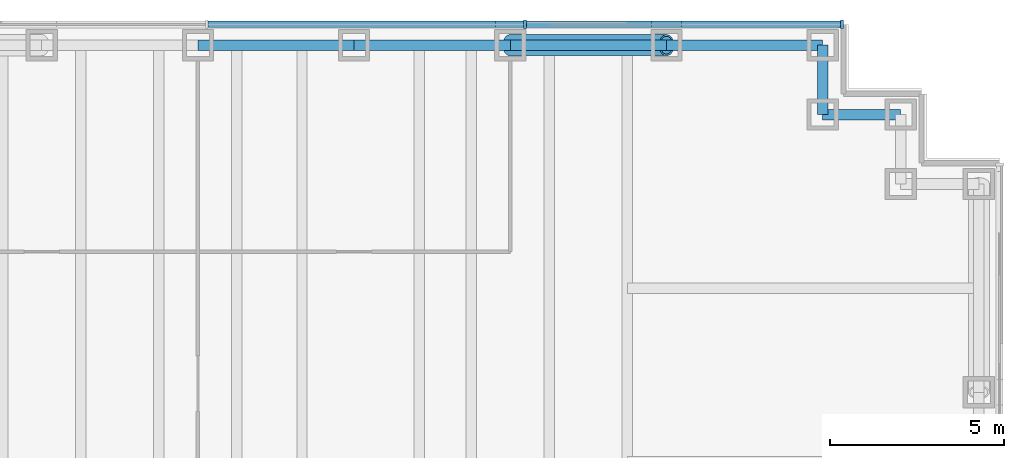
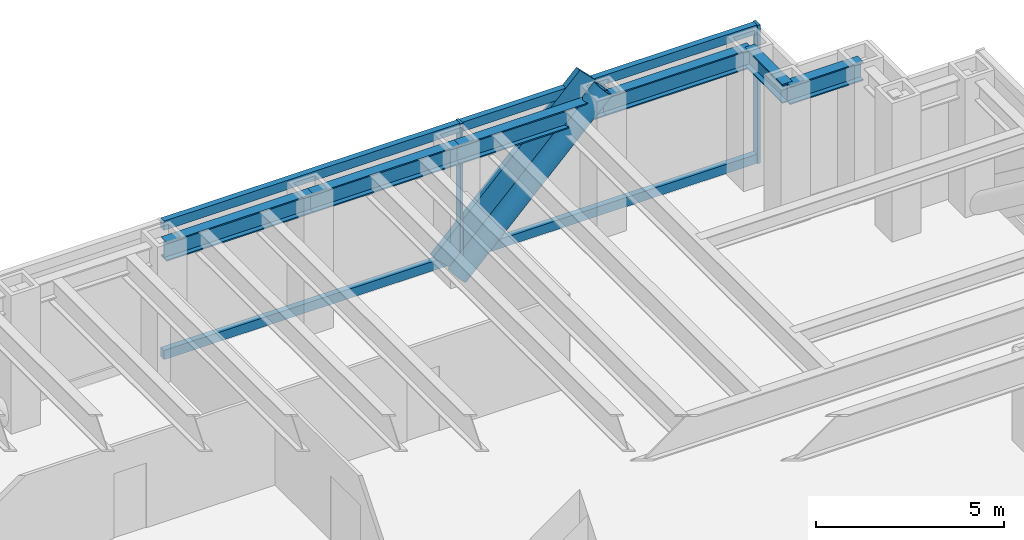
# One storey, part 8 of 15: 8 members, 6 beams, 1 element without a shape of its own.
"""IFC4 building model written with IfcOpenShell, lengths in metres."""

from ifc_helpers import new_model, si_unit, direction, frame, origin, origin_2d, place, context, subcontext, project, spatial, rectangle, hollow_circle, i_section, extrude, material, material_profile, profile_set, type_object, element, aggregate, save


model = new_model("IFC4")

# Units and contexts
model_context = context("Model", 3, precision=1e-05, world=origin(), true_north=direction((0.0, 1.0)))
body_context = subcontext(model_context, "Body", "Model", "MODEL_VIEW")
ifc_project = project(units=[si_unit("LENGTHUNIT", "METRE"), si_unit("AREAUNIT", "SQUARE_METRE"), si_unit("VOLUMEUNIT", "CUBIC_METRE"), si_unit("PLANEANGLEUNIT", "RADIAN"), si_unit("MASSUNIT", "GRAM", prefix="KILO")], contexts=[model_context])

# Site, building, storey
site_placement = place(None, origin())
site = spatial("IfcSite", under=ifc_project, at=site_placement, CompositionType="ELEMENT")
building_placement = place(site_placement, origin())
building = spatial("IfcBuilding", under=site, at=building_placement, Name="Rheinbord Bourse Tower", CompositionType="ELEMENT")
storey_placement = place(building_placement, frame((0.0, 0.0, 23.0)))
storey = spatial("IfcBuildingStorey", under=building, at=storey_placement, Name="L04", CompositionType="ELEMENT", Elevation=23.0)

# Curtain wall, members
ifc_material_1 = material(Name="Dark glass and black aluminium", Category="aluminium")
curtain_wall_type = type_object("IfcCurtainWallType", Name="CW1 DARK GLASS CURTAIN WALL", PredefinedType="USERDEFINED", material=ifc_material_1)
curtain_wall_placement = place(storey_placement, origin())
curtain_wall = element("IfcCurtainWall", 1, at=curtain_wall_placement, inside=storey, type_object=curtain_wall_type, Name="Curtain wall CW1 N L04", ObjectType="UNITISED CURTAIN WALL", PredefinedType="USERDEFINED")
ifc_material_2 = material(Name="Black anodised aluminium", Category="aluminium")
ifc_material_profile_1 = material_profile(ifc_material_2, rectangle(XDim=0.179931640625, YDim=1.2099609375, at=origin_2d()), Name="CW1 DIAGONAL MULLION 1210x180")
ifc_profile_set_1 = profile_set([ifc_material_profile_1], Name="Black anodised aluminium")
member_type_1 = type_object("IfcMemberType", Name="CW1 BLACK DIAGONAL MULLION", PredefinedType="USERDEFINED", material=ifc_profile_set_1)
member_1_placement = place(storey_placement, frame((58.5, 46.60009765625, 0.0), z_axis=(0.707106781187, 0.0, 0.707106781187), x_axis=(0.0, 1.0, 0.0)))
member_1 = element("IfcMember", 2, at=member_1_placement, type_object=member_type_1, Name="CW1 diagonal mullion c", ObjectType="DIAGONAL MULLION", PredefinedType="USERDEFINED", context=body_context, shape_type="SweptSolid", body=[
    extrude(rectangle(XDim=0.179931640625, YDim=1.2099609375, at=origin_2d()), origin(), (0.0, 0.0, 1.0), 6.364013671875),
])
ifc_material_3 = material(Name="Black anodised aluminium", Category="aluminium")
ifc_material_profile_2 = material_profile(ifc_material_3, rectangle(XDim=0.25, YDim=0.080078125, at=origin_2d()), Name="CW1 MULLION 80x250")
ifc_profile_set_2 = profile_set([ifc_material_profile_2], Name="Black anodised aluminium")
member_type_2 = type_object("IfcMemberType", Name="CW1 BLACK MULLION", PredefinedType="MULLION", material=ifc_profile_set_2)
member_2_placement = place(storey_placement, frame((68.06005859375, 46.60009765625, 0.0), z_axis=(0.0, 0.0, 1.0), x_axis=(0.0, -1.0, 0.0)))
member_2 = element("IfcMember", 3, at=member_2_placement, type_object=member_type_2, Name="CW1 mullion 1", PredefinedType="MULLION", context=body_context, shape_type="SweptSolid", body=[
    extrude(rectangle(XDim=0.25, YDim=0.080078125, at=origin_2d()), origin(), (0.0, 0.0, 1.0), 4.5),
])
member_3_placement = place(storey_placement, frame((58.928466796875, 46.60009765625, 0.0), z_axis=(0.0, 0.0, 1.0), x_axis=(0.0, -1.0, 0.0)))
member_3 = element("IfcMember", 4, at=member_3_placement, type_object=member_type_2, Name="CW1 mullion 2", PredefinedType="MULLION", context=body_context, shape_type="SweptSolid", body=[
    extrude(rectangle(XDim=0.25, YDim=0.080078125, at=origin_2d()), origin(), (0.0, 0.0, 1.0), 4.5),
])
ifc_material_4 = material(Name="Black anodised aluminium", Category="aluminium")
ifc_material_profile_3 = material_profile(ifc_material_4, rectangle(XDim=0.179931640625, YDim=0.300048828125, at=origin_2d()), Name="CW1 TRANSOM 300x180")
ifc_profile_set_3 = profile_set([ifc_material_profile_3], Name="Black anodised aluminium")
member_type_3 = type_object("IfcMemberType", Name="CW1 BLACK TRANSOM", PredefinedType="USERDEFINED", material=ifc_profile_set_3)
member_4_placement = place(storey_placement, frame((68.02001953125, 46.60009765625, 0.14990234375), z_axis=(-1.0, 0.0, 0.0), x_axis=(0.0, -1.0, 0.0)))
member_4 = element("IfcMember", 5, at=member_4_placement, type_object=member_type_3, Name="CW1 transom 1.1", ObjectType="TRANSOM", PredefinedType="USERDEFINED", context=body_context, shape_type="SweptSolid", body=[
    extrude(rectangle(XDim=0.179931640625, YDim=0.300048828125, at=origin_2d()), origin(), (0.0, 0.0, 1.0), 9.051513671875),
])
member_5_placement = place(storey_placement, frame((68.02001953125, 46.60009765625, 4.35009765625), z_axis=(-1.0, 0.0, 0.0), x_axis=(0.0, -1.0, 0.0)))
member_5 = element("IfcMember", 6, at=member_5_placement, type_object=member_type_3, Name="CW1 transom 1.2", ObjectType="TRANSOM", PredefinedType="USERDEFINED", context=body_context, shape_type="SweptSolid", body=[
    extrude(rectangle(XDim=0.179931640625, YDim=0.300048828125, at=origin_2d()), origin(), (0.0, 0.0, 1.0), 9.051513671875),
])
member_6_placement = place(storey_placement, frame((58.888671875, 46.60009765625, 0.14990234375), z_axis=(-1.0, 0.0, 0.0), x_axis=(0.0, -1.0, 0.0)))
member_6 = element("IfcMember", 7, at=member_6_placement, type_object=member_type_3, Name="CW1 transom 2.1", ObjectType="TRANSOM", PredefinedType="USERDEFINED", context=body_context, shape_type="SweptSolid", body=[
    extrude(rectangle(XDim=0.179931640625, YDim=0.300048828125, at=origin_2d()), origin(), (0.0, 0.0, 1.0), 9.091552734375),
])
member_7_placement = place(storey_placement, frame((58.888671875, 46.60009765625, 4.35009765625), z_axis=(-1.0, 0.0, 0.0), x_axis=(0.0, -1.0, 0.0)))
member_7 = element("IfcMember", 8, at=member_7_placement, type_object=member_type_3, Name="CW1 transom 2.2", ObjectType="TRANSOM", PredefinedType="USERDEFINED", context=body_context, shape_type="SweptSolid", body=[
    extrude(rectangle(XDim=0.179931640625, YDim=0.300048828125, at=origin_2d()), origin(), (0.0, 0.0, 1.0), 9.091552734375),
])
aggregate(curtain_wall, [member_2, member_3, member_4, member_5, member_6, member_7, member_1])

# Member
ifc_material_5 = material(Name="Steel S460", Category="steel")
ifc_material_profile_4 = material_profile(ifc_material_5, hollow_circle(Radius=0.304931640625, WallThickness=0.050048828125, at=origin_2d()), Name="CHS 610x50")
ifc_profile_set_4 = profile_set([ifc_material_profile_4], Name="Steel S460")
member_type_4 = type_object("IfcMemberType", Name="MEGABRACE CHS 610x50", PredefinedType="BRACE", material=ifc_profile_set_4)
member_8_placement = place(storey_placement, frame((58.5, 46.0, 0.0), z_axis=(0.707106781187, 0.0, 0.707106781187), x_axis=(0.0, 1.0, 0.0)))
element("IfcMember", 9, at=member_8_placement, inside=storey, type_object=member_type_4, Name="Megabrace N face line c L04", PredefinedType="BRACE", context=body_context, shape_type="SweptSolid", body=[
    extrude(hollow_circle(Radius=0.304931640625, WallThickness=0.050048828125, at=origin_2d()), origin(), (0.0, 0.0, 1.0), 6.364013671875),
])

# Beams
ifc_material_6 = material(Name="Steel S460", Category="steel")
ifc_material_profile_5 = material_profile(ifc_material_6, i_section(OverallWidth=0.304931640625, OverallDepth=0.6201171875, WebThickness=0.02099609375, FlangeThickness=0.0400390625, at=origin_2d()), Name="HEM 600")
ifc_profile_set_5 = profile_set([ifc_material_profile_5], Name="Steel S460")
beam_type = type_object("IfcBeamType", Name="SPANDREL HEM 600", PredefinedType="SPANDREL", material=ifc_profile_set_5)
beam_1_placement = place(storey_placement, frame((69.75, 44.0, 4.010009765625), z_axis=(-1.0, 0.0, 0.0), x_axis=(0.0, -1.0, 0.0)))
element("IfcBeam", 10, at=beam_1_placement, inside=storey, type_object=beam_type, Name="Spandrel NE-C-NE-D under L05", PredefinedType="SPANDREL", context=body_context, shape_type="SweptSolid", body=[
    extrude(i_section(OverallWidth=0.304931640625, OverallDepth=0.6201171875, WebThickness=0.02099609375, FlangeThickness=0.0400390625, at=origin_2d()), origin(), (0.0, 0.0, 1.0), 2.25),
])
beam_2_placement = place(storey_placement, frame((67.5, 44.0, 4.010009765625), z_axis=(0.0, 1.0, 0.0), x_axis=(-1.0, 0.0, 0.0)))
element("IfcBeam", 11, at=beam_2_placement, inside=storey, type_object=beam_type, Name="Spandrel NE-D-NE-E under L05", PredefinedType="SPANDREL", context=body_context, shape_type="SweptSolid", body=[
    extrude(i_section(OverallWidth=0.304931640625, OverallDepth=0.6201171875, WebThickness=0.02099609375, FlangeThickness=0.0400390625, at=origin_2d()), origin(), (0.0, 0.0, 1.0), 2.0),
])
for number, where, z_axis, x_axis, name in (
    (12, (67.5, 46.0, 4.010009765625), (-1.0, 0.0, 0.0), (0.0, -1.0, 0.0), "Spandrel NE-E-N-63 under L05"),
    (13, (63.0, 46.0, 4.010009765625), (-1.0, 0.0, 0.0), (0.0, -1.0, 0.0), "Spandrel N-63-N-58.5 under L05"),
    (14, (58.5, 46.0, 4.010009765625), (-1.0, 0.0, 0.0), (0.0, -1.0, 0.0), "Spandrel N-58.5-N-54 under L05"),
    (15, (54.0, 46.0, 4.010009765625), (-1.0, 0.0, 0.0), (0.0, -1.0, 0.0), "Spandrel N-54-N-49.5 under L05"),
):
    element("IfcBeam", number, at=place(storey_placement, frame(where, z_axis=z_axis, x_axis=x_axis)), inside=storey, type_object=beam_type, Name=name, PredefinedType="SPANDREL", context=body_context, shape_type="SweptSolid", body=[
        extrude(i_section(OverallWidth=0.304931640625, OverallDepth=0.6201171875, WebThickness=0.02099609375, FlangeThickness=0.0400390625, at=origin_2d()), origin(), (0.0, 0.0, 1.0), 4.5),
    ])

save(model, "model.ifc")
